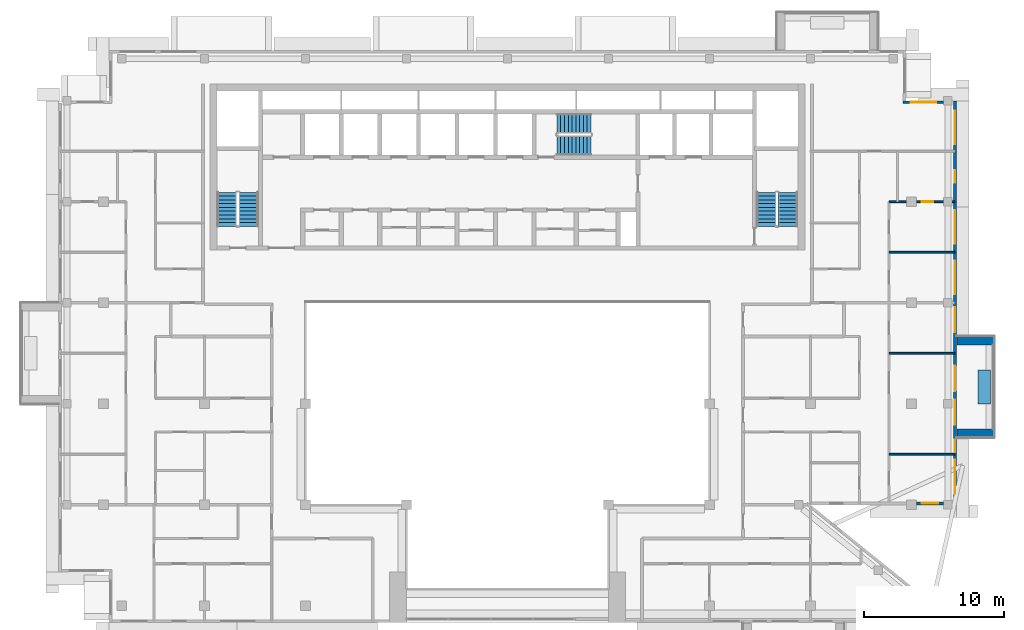
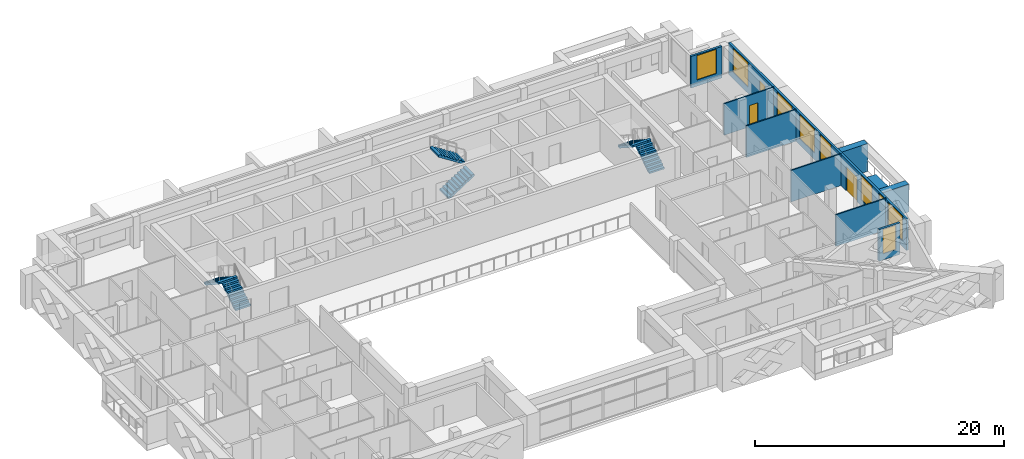
# One storey, part 12 of 19: 10 walls, 10 windows, 6 stair flights, 2 doors, 12 openings, 3 elements without a shape of their own.
"""IFC4 building model written with IfcOpenShell, lengths in metres."""

from ifc_helpers import new_model, si_unit, direction, frame, frame_2d, origin, place, context, subcontext, project, spatial, polyline, rectangle, outline, extrude, material, layer, layer_set, type_object, element, fill, aggregate, save


model = new_model("IFC4")

# Units and contexts
model_context = context("Model", 3, precision=1e-05, world=origin(), true_north=direction((0.0, 1.0)))
body_context = subcontext(model_context, "Body", "Model", "MODEL_VIEW")
ifc_project = project(units=[si_unit("LENGTHUNIT", "METRE"), si_unit("AREAUNIT", "SQUARE_METRE"), si_unit("VOLUMEUNIT", "CUBIC_METRE"), si_unit("PLANEANGLEUNIT", "RADIAN"), si_unit("MASSUNIT", "GRAM", prefix="KILO")], contexts=[model_context])

# Site, building, storey
site_placement = place(None, origin())
site = spatial("IfcSite", under=ifc_project, at=site_placement, CompositionType="ELEMENT")
building_placement = place(site_placement, origin())
building = spatial("IfcBuilding", under=site, at=building_placement, Name="Saffron Iwan Residences", CompositionType="ELEMENT")
storey_placement = place(building_placement, frame((0.0, 0.0, 267.5)))
storey = spatial("IfcBuildingStorey", under=building, at=storey_placement, Name="L72", CompositionType="ELEMENT", Elevation=267.5)

# Walls
ifc_material_1 = material(Name="Concrete C50/60 white painted", Category="concrete")
ifc_layer_1 = layer(ifc_material_1, 0.60009765625)
ifc_layer_set_1 = layer_set([ifc_layer_1], Name="Concrete C50/60 white painted")
wall_type_1 = type_object("IfcWallType", Name="BALCONY FIN 600", PredefinedType="SOLIDWALL", material=ifc_layer_set_1)
for number, where, z_axis, x_axis, name in (
    (1, (82.449951171875, 53.10009765625, 0.0), (0.0, 0.0, 1.0), (1.0, 0.0, 0.0), "Balcony fin L72 F2-0a"),
    (2, (82.449951171875, 59.699951171875, 0.0), (0.0, 0.0, 1.0), (1.0, 0.0, 0.0), "Balcony fin L72 F2-0b"),
):
    element("IfcWall", number, at=place(storey_placement, frame(where, z_axis=z_axis, x_axis=x_axis)), inside=storey, type_object=wall_type_1, Name=name, PredefinedType="SOLIDWALL", context=body_context, shape_type="SweptSolid", body=[
        extrude(rectangle(XDim=2.650146484375, YDim=0.60009765625, at=frame_2d((1.3251953125, 0.0))), origin(), (0.0, 0.0, 1.0), 2.72900390625),
    ])
ifc_material_2 = material(Name="Concrete C35/45 white painted", Category="concrete")
ifc_layer_2 = layer(ifc_material_2, 0.14990234375)
ifc_layer_set_2 = layer_set([ifc_layer_2], Name="Concrete C35/45 white painted")
wall_type_2 = type_object("IfcWallType", Name="BALCONY PLANTER", PredefinedType="SOLIDWALL", material=ifc_layer_set_2)
wall_1_placement = place(storey_placement, frame((84.375, 55.199951171875, 0.0), z_axis=(0.0, 0.0, 1.0), x_axis=(0.0, 1.0, 0.0)))
element("IfcWall", 3, at=wall_1_placement, inside=storey, type_object=wall_type_2, Name="PLANTER L72 F2-0", PredefinedType="SOLIDWALL", context=body_context, shape_type="SweptSolid", body=[
    extrude(rectangle(XDim=2.400146484375, YDim=0.89990234375, at=frame_2d((1.2001953125, 0.0))), origin(), (0.0, 0.0, 1.0), 0.89990234375),
])

# Wall, opening, window
ifc_material_3 = material(Name="Concrete C40/50", Category="concrete")
ifc_layer_3 = layer(ifc_material_3, 0.199951171875)
ifc_layer_set_3 = layer_set([ifc_layer_3], Name="Concrete C40/50")
wall_type_3 = type_object("IfcWallType", Name="EXTERNAL WALL 200", PredefinedType="SOLIDWALL", material=ifc_layer_set_3)
wall_2_placement = place(storey_placement, frame((79.550048828125, 48.10009765625, 0.0), z_axis=(0.0, 0.0, 1.0), x_axis=(1.0, 0.0, 0.0)))
wall_2 = element("IfcWall", 4, at=wall_2_placement, inside=storey, type_object=wall_type_3, Name="External wall L72 F1.1", PredefinedType="SOLIDWALL", context=body_context, shape_type="SweptSolid", body=[
    extrude(rectangle(XDim=1.949951171875, YDim=0.199951171875, at=frame_2d((0.97509765625, 0.0))), origin(), (0.0, 0.0, 1.0), 3.09912109375),
])
opening_1_placement = place(wall_2_placement, frame((0.375, 0.0, 0.60009765625)))
opening_1 = element("IfcOpeningElement", 5, at=opening_1_placement, cuts=wall_2, Name="Opening W3", PredefinedType="OPENING", context=body_context, shape_type="SweptSolid", body=[
    extrude(rectangle(XDim=1.199951171875, YDim=2.39990234375, at=frame_2d((0.60009765625, 1.199951171875))), frame((0.0, 0.10986328125, 0.0), z_axis=(0.0, -1.0, 0.0), x_axis=(1.0, 0.0, 0.0)), (0.0, 0.0, 1.0), 0.219970703125),
])
ifc_material_4 = material(Name="Clear glass, laminated double glazed", Category="glass")
window_type_1 = type_object("IfcWindowType", Name="WINDOW 1200 x 2400", PartitioningType="SINGLE_PANEL", PredefinedType="WINDOW", material=ifc_material_4)
window_1_placement = place(opening_1_placement, origin())
window_1 = element("IfcWindow", 6, at=window_1_placement, inside=storey, type_object=window_type_1, Name="Window L72 F1.0", OverallHeight=2.39990234375, OverallWidth=1.199951171875, PartitioningType="SINGLE_PANEL", PredefinedType="WINDOW", context=body_context, shape_type="SweptSolid", body=[
    extrude(rectangle(XDim=1.199951171875, YDim=2.39990234375, at=frame_2d((0.60009765625, 1.199951171875))), frame((0.0, 0.030029296875, 0.0), z_axis=(0.0, -1.0, 0.0), x_axis=(1.0, 0.0, 0.0)), (0.0, 0.0, 1.0), 0.06005859375),
])
fill(opening_1, window_1)

# Wall, openings, door, windows
wall_3_placement = place(storey_placement, frame((82.300048828125, 48.199951171875, 0.0), z_axis=(0.0, 0.0, 1.0), x_axis=(0.0, 1.0, 0.0)))
wall_3 = element("IfcWall", 7, at=wall_3_placement, inside=storey, type_object=wall_type_3, Name="External wall L72 F2.0", PredefinedType="SOLIDWALL", context=body_context, shape_type="SweptSolid", body=[
    extrude(rectangle(XDim=28.60009765625, YDim=0.199951171875, at=frame_2d((14.300048828125, 0.0))), origin(), (0.0, 0.0, 1.0), 3.09912109375),
])
opening_2_placement = place(wall_3_placement, frame((7.89990234375, 0.0, 0.0)))
opening_2 = element("IfcOpeningElement", 8, at=opening_2_placement, cuts=wall_3, Name="Opening BD1", PredefinedType="OPENING", context=body_context, shape_type="SweptSolid", body=[
    extrude(rectangle(XDim=1.800048828125, YDim=2.39990234375, at=frame_2d((0.89990234375, 1.199951171875))), frame((0.0, 0.10986328125, 0.0), z_axis=(0.0, -1.0, 0.0), x_axis=(1.0, 0.0, 0.0)), (0.0, 0.0, 1.0), 0.219970703125),
])
opening_3_placement = place(wall_3_placement, frame((0.60009765625, 0.0, 0.60009765625)))
opening_3 = element("IfcOpeningElement", 9, at=opening_3_placement, cuts=wall_3, Name="Opening W1", PredefinedType="OPENING", context=body_context, shape_type="SweptSolid", body=[
    extrude(rectangle(XDim=2.39990234375, YDim=2.39990234375, at=frame_2d((1.199951171875, 1.199951171875))), frame((0.0, 0.10986328125, 0.0), z_axis=(0.0, -1.0, 0.0), x_axis=(1.0, 0.0, 0.0)), (0.0, 0.0, 1.0), 0.219970703125),
])
opening_4_placement = place(wall_3_placement, frame((3.550048828125, 0.0, 0.60009765625)))
opening_4 = element("IfcOpeningElement", 10, at=opening_4_placement, cuts=wall_3, Name="Opening W10", PredefinedType="OPENING", context=body_context, shape_type="SweptSolid", body=[
    extrude(rectangle(XDim=0.89990234375, YDim=2.39990234375, at=frame_2d((0.449951171875, 1.199951171875))), frame((0.0, 0.10986328125, 0.0), z_axis=(0.0, -1.0, 0.0), x_axis=(1.0, 0.0, 0.0)), (0.0, 0.0, 1.0), 0.219970703125),
])
opening_5_placement = place(wall_3_placement, frame((5.5, 0.0, 0.60009765625)))
opening_5 = element("IfcOpeningElement", 11, at=opening_5_placement, cuts=wall_3, Name="Opening W8", PredefinedType="OPENING", context=body_context, shape_type="SweptSolid", body=[
    extrude(rectangle(XDim=1.800048828125, YDim=2.39990234375, at=frame_2d((0.89990234375, 1.199951171875))), frame((0.0, 0.10986328125, 0.0), z_axis=(0.0, -1.0, 0.0), x_axis=(1.0, 0.0, 0.0)), (0.0, 0.0, 1.0), 0.219970703125),
])
opening_6_placement = place(wall_3_placement, frame((12.10009765625, 0.0, 0.60009765625)))
opening_6 = element("IfcOpeningElement", 12, at=opening_6_placement, cuts=wall_3, Name="Opening W8", PredefinedType="OPENING", context=body_context, shape_type="SweptSolid", body=[
    extrude(rectangle(XDim=1.800048828125, YDim=2.39990234375, at=frame_2d((0.89990234375, 1.199951171875))), frame((0.0, 0.10986328125, 0.0), z_axis=(0.0, -1.0, 0.0), x_axis=(1.0, 0.0, 0.0)), (0.0, 0.0, 1.0), 0.219970703125),
])
opening_7_placement = place(wall_3_placement, frame((14.800048828125, 0.0, 0.60009765625)))
opening_7 = element("IfcOpeningElement", 13, at=opening_7_placement, cuts=wall_3, Name="Opening W1", PredefinedType="OPENING", context=body_context, shape_type="SweptSolid", body=[
    extrude(rectangle(XDim=2.39990234375, YDim=2.39990234375, at=frame_2d((1.199951171875, 1.199951171875))), frame((0.0, 0.10986328125, 0.0), z_axis=(0.0, -1.0, 0.0), x_axis=(1.0, 0.0, 0.0)), (0.0, 0.0, 1.0), 0.219970703125),
])
opening_8_placement = place(wall_3_placement, frame((18.39990234375, 0.0, 0.60009765625)))
opening_8 = element("IfcOpeningElement", 14, at=opening_8_placement, cuts=wall_3, Name="Opening W1", PredefinedType="OPENING", context=body_context, shape_type="SweptSolid", body=[
    extrude(rectangle(XDim=2.39990234375, YDim=2.39990234375, at=frame_2d((1.199951171875, 1.199951171875))), frame((0.0, 0.10986328125, 0.0), z_axis=(0.0, -1.0, 0.0), x_axis=(1.0, 0.0, 0.0)), (0.0, 0.0, 1.0), 0.219970703125),
])
opening_9_placement = place(wall_3_placement, frame((22.75, 0.0, 1.5)))
opening_9 = element("IfcOpeningElement", 15, at=opening_9_placement, cuts=wall_3, Name="Opening W6", PredefinedType="OPENING", context=body_context, shape_type="SweptSolid", body=[
    extrude(rectangle(XDim=0.89990234375, YDim=0.89990234375, at=frame_2d((0.449951171875, 0.449951171875))), frame((0.0, 0.10986328125, 0.0), z_axis=(0.0, -1.0, 0.0), x_axis=(1.0, 0.0, 0.0)), (0.0, 0.0, 1.0), 0.219970703125),
])
opening_10_placement = place(wall_3_placement, frame((25.5, 0.0, 0.60009765625)))
opening_10 = element("IfcOpeningElement", 16, at=opening_10_placement, cuts=wall_3, Name="Opening W1", PredefinedType="OPENING", context=body_context, shape_type="SweptSolid", body=[
    extrude(rectangle(XDim=2.39990234375, YDim=2.39990234375, at=frame_2d((1.199951171875, 1.199951171875))), frame((0.0, 0.10986328125, 0.0), z_axis=(0.0, -1.0, 0.0), x_axis=(1.0, 0.0, 0.0)), (0.0, 0.0, 1.0), 0.219970703125),
])
door_type_1 = type_object("IfcDoorType", Name="BALCONY DOOR 1800 x 2400", OperationType="DOUBLE_DOOR_SLIDING", PredefinedType="DOOR", material=ifc_material_4)
door_1_placement = place(opening_2_placement, origin())
door_1 = element("IfcDoor", 17, at=door_1_placement, inside=storey, type_object=door_type_1, Name="Balcony door L72 F2.0", OperationType="DOUBLE_DOOR_SLIDING", OverallHeight=2.39990234375, OverallWidth=1.800048828125, PredefinedType="DOOR", context=body_context, shape_type="SweptSolid", body=[
    extrude(rectangle(XDim=1.800048828125, YDim=2.39990234375, at=frame_2d((0.89990234375, 1.199951171875))), frame((0.0, 0.02490234375, 0.0), z_axis=(0.0, -1.0, 0.0), x_axis=(1.0, 0.0, 0.0)), (0.0, 0.0, 1.0), 0.050048828125),
])
fill(opening_2, door_1)
window_type_2 = type_object("IfcWindowType", Name="WINDOW 1800 x 2400", PartitioningType="DOUBLE_PANEL_VERTICAL", PredefinedType="WINDOW", material=ifc_material_4)
window_2_placement = place(opening_5_placement, origin())
window_2 = element("IfcWindow", 18, at=window_2_placement, inside=storey, type_object=window_type_2, Name="Window L72 F2.3", OverallHeight=2.39990234375, OverallWidth=1.800048828125, PartitioningType="DOUBLE_PANEL_VERTICAL", PredefinedType="WINDOW", context=body_context, shape_type="SweptSolid", body=[
    extrude(rectangle(XDim=1.800048828125, YDim=2.39990234375, at=frame_2d((0.89990234375, 1.199951171875))), frame((0.0, 0.030029296875, 0.0), z_axis=(0.0, -1.0, 0.0), x_axis=(1.0, 0.0, 0.0)), (0.0, 0.0, 1.0), 0.06005859375),
])
fill(opening_5, window_2)
window_3_placement = place(opening_6_placement, origin())
window_3 = element("IfcWindow", 19, at=window_3_placement, inside=storey, type_object=window_type_2, Name="Window L72 F2.4", OverallHeight=2.39990234375, OverallWidth=1.800048828125, PartitioningType="DOUBLE_PANEL_VERTICAL", PredefinedType="WINDOW", context=body_context, shape_type="SweptSolid", body=[
    extrude(rectangle(XDim=1.800048828125, YDim=2.39990234375, at=frame_2d((0.89990234375, 1.199951171875))), frame((0.0, 0.030029296875, 0.0), z_axis=(0.0, -1.0, 0.0), x_axis=(1.0, 0.0, 0.0)), (0.0, 0.0, 1.0), 0.06005859375),
])
fill(opening_6, window_3)
window_type_3 = type_object("IfcWindowType", Name="WINDOW 2400 x 2400", PartitioningType="DOUBLE_PANEL_VERTICAL", PredefinedType="WINDOW", material=ifc_material_4)
window_4_placement = place(opening_3_placement, origin())
window_4 = element("IfcWindow", 20, at=window_4_placement, inside=storey, type_object=window_type_3, Name="Window L72 F2.1", OverallHeight=2.39990234375, OverallWidth=2.39990234375, PartitioningType="DOUBLE_PANEL_VERTICAL", PredefinedType="WINDOW", context=body_context, shape_type="SweptSolid", body=[
    extrude(rectangle(XDim=2.39990234375, YDim=2.39990234375, at=frame_2d((1.199951171875, 1.199951171875))), frame((0.0, 0.030029296875, 0.0), z_axis=(0.0, -1.0, 0.0), x_axis=(1.0, 0.0, 0.0)), (0.0, 0.0, 1.0), 0.06005859375),
])
fill(opening_3, window_4)
window_5_placement = place(opening_7_placement, origin())
window_5 = element("IfcWindow", 21, at=window_5_placement, inside=storey, type_object=window_type_3, Name="Window L72 F2.5", OverallHeight=2.39990234375, OverallWidth=2.39990234375, PartitioningType="DOUBLE_PANEL_VERTICAL", PredefinedType="WINDOW", context=body_context, shape_type="SweptSolid", body=[
    extrude(rectangle(XDim=2.39990234375, YDim=2.39990234375, at=frame_2d((1.199951171875, 1.199951171875))), frame((0.0, 0.030029296875, 0.0), z_axis=(0.0, -1.0, 0.0), x_axis=(1.0, 0.0, 0.0)), (0.0, 0.0, 1.0), 0.06005859375),
])
fill(opening_7, window_5)
window_6_placement = place(opening_8_placement, origin())
window_6 = element("IfcWindow", 22, at=window_6_placement, inside=storey, type_object=window_type_3, Name="Window L72 F2.6", OverallHeight=2.39990234375, OverallWidth=2.39990234375, PartitioningType="DOUBLE_PANEL_VERTICAL", PredefinedType="WINDOW", context=body_context, shape_type="SweptSolid", body=[
    extrude(rectangle(XDim=2.39990234375, YDim=2.39990234375, at=frame_2d((1.199951171875, 1.199951171875))), frame((0.0, 0.030029296875, 0.0), z_axis=(0.0, -1.0, 0.0), x_axis=(1.0, 0.0, 0.0)), (0.0, 0.0, 1.0), 0.06005859375),
])
fill(opening_8, window_6)
window_7_placement = place(opening_10_placement, origin())
window_7 = element("IfcWindow", 23, at=window_7_placement, inside=storey, type_object=window_type_3, Name="Window L72 F2.8", OverallHeight=2.39990234375, OverallWidth=2.39990234375, PartitioningType="DOUBLE_PANEL_VERTICAL", PredefinedType="WINDOW", context=body_context, shape_type="SweptSolid", body=[
    extrude(rectangle(XDim=2.39990234375, YDim=2.39990234375, at=frame_2d((1.199951171875, 1.199951171875))), frame((0.0, 0.030029296875, 0.0), z_axis=(0.0, -1.0, 0.0), x_axis=(1.0, 0.0, 0.0)), (0.0, 0.0, 1.0), 0.06005859375),
])
fill(opening_10, window_7)
window_type_4 = type_object("IfcWindowType", Name="WINDOW 900 x 2400", PartitioningType="SINGLE_PANEL", PredefinedType="WINDOW", material=ifc_material_4)
window_8_placement = place(opening_4_placement, origin())
window_8 = element("IfcWindow", 24, at=window_8_placement, inside=storey, type_object=window_type_4, Name="Window L72 F2.2", OverallHeight=2.39990234375, OverallWidth=0.89990234375, PartitioningType="SINGLE_PANEL", PredefinedType="WINDOW", context=body_context, shape_type="SweptSolid", body=[
    extrude(rectangle(XDim=0.89990234375, YDim=2.39990234375, at=frame_2d((0.449951171875, 1.199951171875))), frame((0.0, 0.030029296875, 0.0), z_axis=(0.0, -1.0, 0.0), x_axis=(1.0, 0.0, 0.0)), (0.0, 0.0, 1.0), 0.06005859375),
])
fill(opening_4, window_8)
window_type_5 = type_object("IfcWindowType", Name="WINDOW 900 x 900 BATH", PartitioningType="SINGLE_PANEL", PredefinedType="WINDOW", material=ifc_material_4)
window_9_placement = place(opening_9_placement, origin())
window_9 = element("IfcWindow", 25, at=window_9_placement, inside=storey, type_object=window_type_5, Name="Window L72 F2.7", OverallHeight=0.89990234375, OverallWidth=0.89990234375, PartitioningType="SINGLE_PANEL", PredefinedType="WINDOW", context=body_context, shape_type="SweptSolid", body=[
    extrude(rectangle(XDim=0.89990234375, YDim=0.89990234375, at=frame_2d((0.449951171875, 0.449951171875))), frame((0.0, 0.030029296875, 0.0), z_axis=(0.0, -1.0, 0.0), x_axis=(1.0, 0.0, 0.0)), (0.0, 0.0, 1.0), 0.06005859375),
])
fill(opening_9, window_9)

# Wall, opening, window
wall_4_placement = place(storey_placement, frame((81.5, 76.699951171875, 0.0), z_axis=(0.0, 0.0, 1.0), x_axis=(-1.0, 0.0, 0.0)))
wall_4 = element("IfcWall", 26, at=wall_4_placement, inside=storey, type_object=wall_type_3, Name="External wall L72 F3.0", PredefinedType="SOLIDWALL", context=body_context, shape_type="SweptSolid", body=[
    extrude(rectangle(XDim=2.89990234375, YDim=0.199951171875, at=frame_2d((1.449951171875, 0.0))), origin(), (0.0, 0.0, 1.0), 3.09912109375),
])
opening_11_placement = place(wall_4_placement, frame((0.550048828125, 0.0, 0.60009765625)))
opening_11 = element("IfcOpeningElement", 27, at=opening_11_placement, cuts=wall_4, Name="Opening W8", PredefinedType="OPENING", context=body_context, shape_type="SweptSolid", body=[
    extrude(rectangle(XDim=1.800048828125, YDim=2.39990234375, at=frame_2d((0.89990234375, 1.199951171875))), frame((0.0, 0.10986328125, 0.0), z_axis=(0.0, -1.0, 0.0), x_axis=(1.0, 0.0, 0.0)), (0.0, 0.0, 1.0), 0.219970703125),
])
window_10_placement = place(opening_11_placement, origin())
window_10 = element("IfcWindow", 28, at=window_10_placement, inside=storey, type_object=window_type_2, Name="Window L72 F3.0", OverallHeight=2.39990234375, OverallWidth=1.800048828125, PartitioningType="DOUBLE_PANEL_VERTICAL", PredefinedType="WINDOW", context=body_context, shape_type="SweptSolid", body=[
    extrude(rectangle(XDim=1.800048828125, YDim=2.39990234375, at=frame_2d((0.89990234375, 1.199951171875))), frame((0.0, 0.030029296875, 0.0), z_axis=(0.0, -1.0, 0.0), x_axis=(1.0, 0.0, 0.0)), (0.0, 0.0, 1.0), 0.06005859375),
])
fill(opening_11, window_10)

# Walls
ifc_material_5 = material(Name="Gypsum board partition")
ifc_layer_4 = layer(ifc_material_5, 0.1201171875)
ifc_layer_set_4 = layer_set([ifc_layer_4], Name="Gypsum board partition")
wall_type_4 = type_object("IfcWallType", Name="Flat partition 120", PredefinedType="PARTITIONING", material=ifc_layer_set_4)
for number, where, z_axis, x_axis, name in (
    (29, (77.60009765625, 51.60009765625, 0.0), (0.0, 0.0, 1.0), (1.0, 0.0, 0.0), "W-L72-PART-h51.6-77.6"),
    (30, (77.60009765625, 58.800048828125, 0.0), (0.0, 0.0, 1.0), (1.0, 0.0, 0.0), "W-L72-PART-h58.8-77.6"),
    (31, (77.60009765625, 66.0, 0.0), (0.0, 0.0, 1.0), (1.0, 0.0, 0.0), "W-L72-PART-h66-77.6"),
):
    element("IfcWall", number, at=place(storey_placement, frame(where, z_axis=z_axis, x_axis=x_axis)), inside=storey, type_object=wall_type_4, Name=name, PredefinedType="PARTITIONING", context=body_context, shape_type="SweptSolid", body=[
        extrude(rectangle(XDim=4.6748046875, YDim=0.1201171875, at=frame_2d((2.33740234375, 0.0))), origin(), (0.0, 0.0, 1.0), 3.09912109375),
    ])

# Wall, opening, door
wall_5_placement = place(storey_placement, frame((77.60009765625, 69.60009765625, 0.0), z_axis=(0.0, 0.0, 1.0), x_axis=(1.0, 0.0, 0.0)))
wall_5 = element("IfcWall", 32, at=wall_5_placement, inside=storey, type_object=wall_type_4, Name="W-L72-PART-h69.6-77.6", PredefinedType="PARTITIONING", context=body_context, shape_type="SweptSolid", body=[
    extrude(rectangle(XDim=4.6748046875, YDim=0.1201171875, at=frame_2d((2.33740234375, 0.0))), origin(), (0.0, 0.0, 1.0), 3.09912109375),
])
opening_12_placement = place(wall_5_placement, frame((2.33740234375, 0.0, 0.0)))
opening_12 = element("IfcOpeningElement", 33, at=opening_12_placement, cuts=wall_5, Name="Opening FD3", PredefinedType="OPENING", context=body_context, shape_type="SweptSolid", body=[
    extrude(rectangle(XDim=0.800048828125, YDim=2.10009765625, at=frame_2d((0.39990234375, 1.050048828125))), frame((0.0, 0.070068359375, 0.0), z_axis=(0.0, -1.0, 0.0), x_axis=(1.0, 0.0, 0.0)), (0.0, 0.0, 1.0), 0.14013671875),
])
ifc_material_6 = material(Name="Timber door", Category="wood")
door_type_2 = type_object("IfcDoorType", Name="Bathroom door 800", OperationType="NOTDEFINED", PredefinedType="DOOR", material=ifc_material_6)
door_2_placement = place(opening_12_placement, origin())
door_2 = element("IfcDoor", 34, at=door_2_placement, inside=storey, type_object=door_type_2, Name="Door L72-037", OperationType="SINGLE_SWING_LEFT", OverallHeight=2.10009765625, OverallWidth=0.800048828125, PredefinedType="DOOR", context=body_context, shape_type="SweptSolid", body=[
    extrude(rectangle(XDim=0.800048828125, YDim=2.10009765625, at=frame_2d((0.39990234375, 1.050048828125))), frame((0.0, 0.02490234375, 0.0), z_axis=(0.0, -1.0, 0.0), x_axis=(1.0, 0.0, 0.0)), (0.0, 0.0, 1.0), 0.050048828125),
])
fill(opening_12, door_2)

# Stair, stair flights
ifc_material_7 = material(Name="Concrete C50/60", Category="concrete")
stair_type = type_object("IfcStairType", Name="Stair ST-CORE", PredefinedType="HALF_TURN_STAIR", material=ifc_material_7)
stair_1_placement = place(storey_placement, origin())
stair_1 = element("IfcStair", 35, at=stair_1_placement, inside=storey, type_object=stair_type, Name="L72 Exit Stair ST-W", PredefinedType="HALF_TURN_STAIR")
ifc_layer_5 = layer(ifc_material_7, 0.14990234375)
ifc_layer_set_5 = layer_set([ifc_layer_5], Name="Concrete C50/60")
stair_flight_type = type_object("IfcStairFlightType", Name="Stair flight SFL-RC", PredefinedType="STRAIGHT", material=ifc_layer_set_5)
stair_flight_1_placement = place(storey_placement, frame((31.949951171875, 67.85009765625, 0.0), z_axis=(0.0, 0.0, 1.0), x_axis=(0.0, 1.0, 0.0)))
stair_flight_1 = element("IfcStairFlight", 36, at=stair_flight_1_placement, type_object=stair_flight_type, Name="ST-W flight 1", NumberOfRisers=10, NumberOfTreads=9, PredefinedType="STRAIGHT", RiserHeight=0.175, TreadLength=0.27, context=body_context, shape_type="SweptSolid", body=[
    extrude(outline(polyline([(0.0, 0.0), (0.0, 0.175048828125), (0.27001953125, 0.175048828125), (0.27001953125, 0.35009765625), (0.5400390625, 0.35009765625), (0.5400390625, 0.52490234375), (0.81005859375, 0.52490234375), (0.81005859375, 0.699951171875), (1.080078125, 0.699951171875), (1.080078125, 0.875), (1.35009765625, 0.875), (1.35009765625, 1.050048828125), (1.6201171875, 1.050048828125), (1.6201171875, 1.22509765625), (1.889892578125, 1.22509765625), (1.889892578125, 1.39990234375), (2.159912109375, 1.39990234375), (2.159912109375, 1.574951171875), (2.429931640625, 1.574951171875), (2.429931640625, 1.75), (2.429931640625, 1.396484375), (0.275634765625, 0.0), (0.0, 0.0)])), frame((0.0, 0.699951171875, 0.0), z_axis=(0.0, -1.0, 0.0), x_axis=(1.0, 0.0, 0.0)), (0.0, 0.0, 1.0), 1.39990234375),
])
stair_flight_2_placement = place(storey_placement, frame((30.39990234375, 70.280029296875, 1.75), z_axis=(0.0, 0.0, 1.0), x_axis=(0.0, -1.0, 0.0)))
stair_flight_2 = element("IfcStairFlight", 37, at=stair_flight_2_placement, type_object=stair_flight_type, Name="ST-W flight 2", NumberOfRisers=10, NumberOfTreads=9, PredefinedType="STRAIGHT", RiserHeight=0.175, TreadLength=0.27, context=body_context, shape_type="SweptSolid", body=[
    extrude(outline(polyline([(0.0, 0.0), (0.0, 0.175048828125), (0.27001953125, 0.175048828125), (0.27001953125, 0.35009765625), (0.5400390625, 0.35009765625), (0.5400390625, 0.52490234375), (0.81005859375, 0.52490234375), (0.81005859375, 0.699951171875), (1.080078125, 0.699951171875), (1.080078125, 0.875), (1.35009765625, 0.875), (1.35009765625, 1.050048828125), (1.6201171875, 1.050048828125), (1.6201171875, 1.22509765625), (1.889892578125, 1.22509765625), (1.889892578125, 1.39990234375), (2.159912109375, 1.39990234375), (2.159912109375, 1.574951171875), (2.429931640625, 1.574951171875), (2.429931640625, 1.75), (2.429931640625, 1.396484375), (0.275634765625, 0.0), (0.0, 0.0)])), frame((0.0, 0.699951171875, 0.0), z_axis=(0.0, -1.0, 0.0), x_axis=(1.0, 0.0, 0.0)), (0.0, 0.0, 1.0), 1.39990234375),
])
aggregate(stair_1, [stair_flight_1, stair_flight_2])

stair_2_placement = place(storey_placement, origin())
stair_2 = element("IfcStair", 38, at=stair_2_placement, inside=storey, type_object=stair_type, Name="L72 Exit Stair ST-C", PredefinedType="HALF_TURN_STAIR")
stair_flight_3_placement = place(storey_placement, frame((53.925048828125, 73.625, 0.0), z_axis=(0.0, 0.0, 1.0), x_axis=(1.0, 0.0, 0.0)))
stair_flight_3 = element("IfcStairFlight", 39, at=stair_flight_3_placement, type_object=stair_flight_type, Name="ST-C flight 1", NumberOfRisers=10, NumberOfTreads=9, PredefinedType="STRAIGHT", RiserHeight=0.175, TreadLength=0.27, context=body_context, shape_type="SweptSolid", body=[
    extrude(outline(polyline([(0.0, 0.0), (0.0, 0.175048828125), (0.27001953125, 0.175048828125), (0.27001953125, 0.35009765625), (0.5400390625, 0.35009765625), (0.5400390625, 0.52490234375), (0.81005859375, 0.52490234375), (0.81005859375, 0.699951171875), (1.080078125, 0.699951171875), (1.080078125, 0.875), (1.35009765625, 0.875), (1.35009765625, 1.050048828125), (1.6201171875, 1.050048828125), (1.6201171875, 1.22509765625), (1.889892578125, 1.22509765625), (1.889892578125, 1.39990234375), (2.159912109375, 1.39990234375), (2.159912109375, 1.574951171875), (2.429931640625, 1.574951171875), (2.429931640625, 1.75), (2.429931640625, 1.396484375), (0.275634765625, 0.0), (0.0, 0.0)])), frame((0.0, 0.699951171875, 0.0), z_axis=(0.0, -1.0, 0.0), x_axis=(1.0, 0.0, 0.0)), (0.0, 0.0, 1.0), 1.39990234375),
])
stair_flight_4_placement = place(storey_placement, frame((56.35498046875, 75.175048828125, 1.75), z_axis=(0.0, 0.0, 1.0), x_axis=(-1.0, 0.0, 0.0)))
stair_flight_4 = element("IfcStairFlight", 40, at=stair_flight_4_placement, type_object=stair_flight_type, Name="ST-C flight 2", NumberOfRisers=10, NumberOfTreads=9, PredefinedType="STRAIGHT", RiserHeight=0.175, TreadLength=0.27, context=body_context, shape_type="SweptSolid", body=[
    extrude(outline(polyline([(0.0, 0.0), (0.0, 0.175048828125), (0.27001953125, 0.175048828125), (0.27001953125, 0.35009765625), (0.5400390625, 0.35009765625), (0.5400390625, 0.52490234375), (0.81005859375, 0.52490234375), (0.81005859375, 0.699951171875), (1.080078125, 0.699951171875), (1.080078125, 0.875), (1.35009765625, 0.875), (1.35009765625, 1.050048828125), (1.6201171875, 1.050048828125), (1.6201171875, 1.22509765625), (1.889892578125, 1.22509765625), (1.889892578125, 1.39990234375), (2.159912109375, 1.39990234375), (2.159912109375, 1.574951171875), (2.429931640625, 1.574951171875), (2.429931640625, 1.75), (2.429931640625, 1.396484375), (0.275634765625, 0.0), (0.0, 0.0)])), frame((0.0, 0.699951171875, 0.0), z_axis=(0.0, -1.0, 0.0), x_axis=(1.0, 0.0, 0.0)), (0.0, 0.0, 1.0), 1.39990234375),
])
aggregate(stair_2, [stair_flight_3, stair_flight_4])

stair_3_placement = place(storey_placement, origin())
stair_3 = element("IfcStair", 41, at=stair_3_placement, inside=storey, type_object=stair_type, Name="L72 Exit Stair ST-E", PredefinedType="HALF_TURN_STAIR")
stair_flight_5_placement = place(storey_placement, frame((70.39990234375, 67.85009765625, 0.0), z_axis=(0.0, 0.0, 1.0), x_axis=(0.0, 1.0, 0.0)))
stair_flight_5 = element("IfcStairFlight", 42, at=stair_flight_5_placement, type_object=stair_flight_type, Name="ST-E flight 1", NumberOfRisers=10, NumberOfTreads=9, PredefinedType="STRAIGHT", RiserHeight=0.175, TreadLength=0.27, context=body_context, shape_type="SweptSolid", body=[
    extrude(outline(polyline([(0.0, 0.0), (0.0, 0.175048828125), (0.27001953125, 0.175048828125), (0.27001953125, 0.35009765625), (0.5400390625, 0.35009765625), (0.5400390625, 0.52490234375), (0.81005859375, 0.52490234375), (0.81005859375, 0.699951171875), (1.080078125, 0.699951171875), (1.080078125, 0.875), (1.35009765625, 0.875), (1.35009765625, 1.050048828125), (1.6201171875, 1.050048828125), (1.6201171875, 1.22509765625), (1.889892578125, 1.22509765625), (1.889892578125, 1.39990234375), (2.159912109375, 1.39990234375), (2.159912109375, 1.574951171875), (2.429931640625, 1.574951171875), (2.429931640625, 1.75), (2.429931640625, 1.396484375), (0.275634765625, 0.0), (0.0, 0.0)])), frame((0.0, 0.699951171875, 0.0), z_axis=(0.0, -1.0, 0.0), x_axis=(1.0, 0.0, 0.0)), (0.0, 0.0, 1.0), 1.39990234375),
])
stair_flight_6_placement = place(storey_placement, frame((68.85009765625, 70.280029296875, 1.75), z_axis=(0.0, 0.0, 1.0), x_axis=(0.0, -1.0, 0.0)))
stair_flight_6 = element("IfcStairFlight", 43, at=stair_flight_6_placement, type_object=stair_flight_type, Name="ST-E flight 2", NumberOfRisers=10, NumberOfTreads=9, PredefinedType="STRAIGHT", RiserHeight=0.175, TreadLength=0.27, context=body_context, shape_type="SweptSolid", body=[
    extrude(outline(polyline([(0.0, 0.0), (0.0, 0.175048828125), (0.27001953125, 0.175048828125), (0.27001953125, 0.35009765625), (0.5400390625, 0.35009765625), (0.5400390625, 0.52490234375), (0.81005859375, 0.52490234375), (0.81005859375, 0.699951171875), (1.080078125, 0.699951171875), (1.080078125, 0.875), (1.35009765625, 0.875), (1.35009765625, 1.050048828125), (1.6201171875, 1.050048828125), (1.6201171875, 1.22509765625), (1.889892578125, 1.22509765625), (1.889892578125, 1.39990234375), (2.159912109375, 1.39990234375), (2.159912109375, 1.574951171875), (2.429931640625, 1.574951171875), (2.429931640625, 1.75), (2.429931640625, 1.396484375), (0.275634765625, 0.0), (0.0, 0.0)])), frame((0.0, 0.699951171875, 0.0), z_axis=(0.0, -1.0, 0.0), x_axis=(1.0, 0.0, 0.0)), (0.0, 0.0, 1.0), 1.39990234375),
])
aggregate(stair_3, [stair_flight_5, stair_flight_6])

save(model, "model.ifc")
